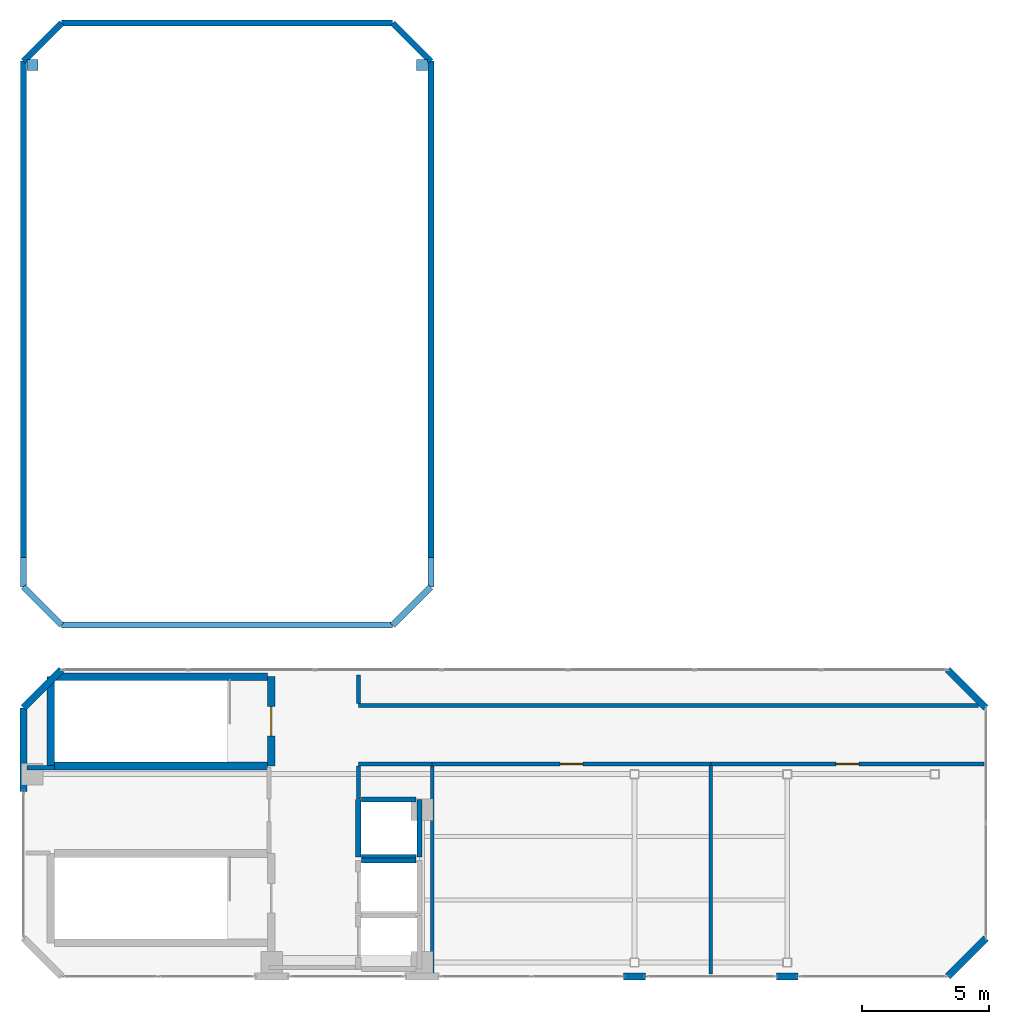
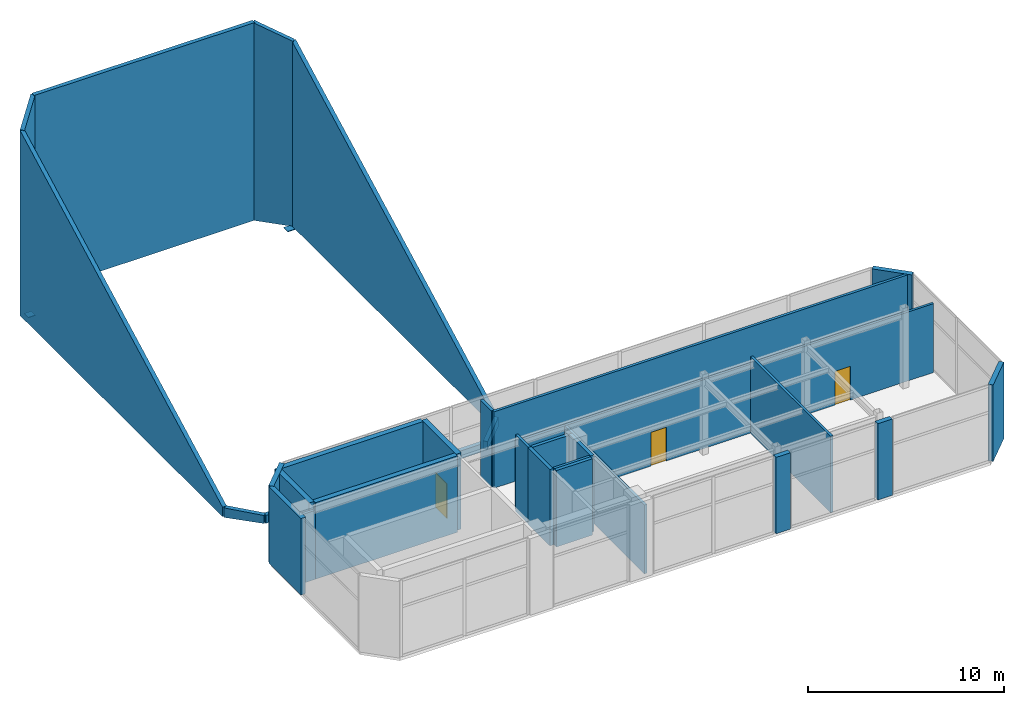
# One storey, part 11 of 12: 32 walls, 3 doors, 2 discrete accessories, 3 openings.
"""IFC4 building model written with IfcOpenShell, lengths in metres."""

from ifc_helpers import new_model, si_unit, direction, frame, frame_2d, origin, origin_2d, place, context, subcontext, project, spatial, polyline, rectangle, outline, extrude, material, layer, layer_set, type_object, element, fill, save


model = new_model("IFC4")

# Units and contexts
model_context = context("Model", 3, precision=1e-05, world=origin(), true_north=direction((0.0, 1.0)))
body_context = subcontext(model_context, "Body", "Model", "MODEL_VIEW")
ifc_project = project(units=[si_unit("LENGTHUNIT", "METRE"), si_unit("AREAUNIT", "SQUARE_METRE"), si_unit("VOLUMEUNIT", "CUBIC_METRE"), si_unit("PLANEANGLEUNIT", "RADIAN"), si_unit("MASSUNIT", "GRAM", prefix="KILO")], contexts=[model_context])

# Site, building, storey
site_placement = place(None, origin())
site = spatial("IfcSite", under=ifc_project, at=site_placement, CompositionType="ELEMENT")
building_placement = place(site_placement, origin())
building = spatial("IfcBuilding", under=site, at=building_placement, Name="Mawjaban Terraces University", CompositionType="ELEMENT")
storey_placement = place(building_placement, frame((0.0, 0.0, 321.699951171875)))
storey = spatial("IfcBuildingStorey", under=building, at=storey_placement, Name="L78", CompositionType="ELEMENT", Elevation=321.699951171875)

# Walls
ifc_material_1 = material(Name="Fire-rated gypsum board on steel stud", Category="steel")
ifc_layer_1 = layer(ifc_material_1, 0.159912109375)
ifc_layer_set_1 = layer_set([ifc_layer_1], Name="Fire-rated gypsum board on steel stud")
wall_type_1 = type_object("IfcWallType", Name="CorridorPartition_160", PredefinedType="PARTITIONING", material=ifc_layer_set_1)
wall_1_placement = place(storey_placement, frame((23.219970703125, 8.199951171875, 0.0), z_axis=(0.0, 0.0, 1.0), x_axis=(-1.0, 0.0, 0.0)))
element("IfcWall", 1, at=wall_1_placement, inside=storey, type_object=wall_type_1, Name="L78 East Peak Lift Machine Room Partition 2", PredefinedType="PARTITIONING", context=body_context, shape_type="SweptSolid", body=[
    extrude(rectangle(XDim=1.0869140625, YDim=0.159912109375, at=frame_2d((0.54345703125, 0.0))), origin(), (0.0, 0.0, 1.0), 4.291015625),
])
wall_2_placement = place(storey_placement, frame((35.14990234375, 8.35009765625, 0.0), z_axis=(0.0, 0.0, 1.0), x_axis=(1.0, 0.0, 0.0)))
element("IfcWall", 2, at=wall_2_placement, inside=storey, type_object=wall_type_1, Name="L78 Crown Plant Service Corridor Partition 4", PredefinedType="PARTITIONING", context=body_context, shape_type="SweptSolid", body=[
    extrude(rectangle(XDim=2.900146484375, YDim=0.159912109375, at=frame_2d((1.4501953125, 0.0))), origin(), (0.0, 0.0, 1.0), 4.291015625),
])
wall_3_placement = place(storey_placement, frame((59.512939453125, 10.64990234375, 0.0), z_axis=(0.0, 0.0, 1.0), x_axis=(-1.0, 0.0, 0.0)))
element("IfcWall", 3, at=wall_3_placement, inside=storey, type_object=wall_type_1, Name="L78 Crown Plant Service Corridor Partition 7", PredefinedType="PARTITIONING", context=body_context, shape_type="SweptSolid", body=[
    extrude(rectangle(XDim=24.363037109375, YDim=0.159912109375, at=frame_2d((12.181640625, 0.0))), origin(), (0.0, 0.0, 1.0), 4.760009765625),
])
wall_4_placement = place(storey_placement, frame((35.14990234375, 6.969970703125, 0.0), z_axis=(0.0, 0.0, 1.0), x_axis=(0.0, 1.0, 0.0)))
element("IfcWall", 4, at=wall_4_placement, inside=storey, type_object=wall_type_1, Name="L78 East Peak Stair and Lift Plant Lobby Partition 9", PredefinedType="PARTITIONING", context=body_context, shape_type="SweptSolid", body=[
    extrude(rectangle(XDim=1.304931640625, YDim=0.159912109375, at=frame_2d((0.65234375, 0.0))), origin(), (0.0, 0.0, 1.0), 4.760009765625),
])
wall_5_placement = place(storey_placement, frame((35.14990234375, 10.72509765625, 0.0), z_axis=(0.0, 0.0, 1.0), x_axis=(0.0, 1.0, 0.0)))
element("IfcWall", 5, at=wall_5_placement, inside=storey, type_object=wall_type_1, Name="L78 East Peak Stair and Lift Plant Lobby Partition 10", PredefinedType="PARTITIONING", context=body_context, shape_type="SweptSolid", body=[
    extrude(rectangle(XDim=1.125, YDim=0.159912109375, at=frame_2d((0.5625, 0.0))), origin(), (0.0, 0.0, 1.0), 4.760009765625),
])
ifc_material_2 = material(Name="Insulated terracotta spandrel wall", Category="masonry")
ifc_layer_2 = layer(ifc_material_2, 0.239990234375)
ifc_layer_set_2 = layer_set([ifc_layer_2], Name="Insulated terracotta spandrel wall")
wall_type_2 = type_object("IfcWallType", Name="ExtSpandrelWall_240", PredefinedType="SOLIDWALL", material=ifc_layer_set_2)
wall_6_placement = place(storey_placement, frame((23.5, 13.800048828125, 0.0), z_axis=(0.0, 0.0, 1.0), x_axis=(1.0, 0.0, 0.0)))
element("IfcWall", 6, at=wall_6_placement, inside=storey, type_object=wall_type_2, Name="North Crown Enclosed Terracotta Screen Wall 1", PredefinedType="SOLIDWALL", context=body_context, shape_type="SweptSolid", body=[
    extrude(outline(polyline([(0.0, 0.0), (13.0, 0.0), (13.0, 0.5), (0.0, 0.5), (0.0, 0.0)])), frame((0.0, 0.1201171875, 0.0), z_axis=(0.0, -1.0, 0.0), x_axis=(1.0, 0.0, 0.0)), (0.0, 0.0, 1.0), 0.239990234375),
])
wall_7_placement = place(storey_placement, frame((36.5, 13.800048828125, 0.0), z_axis=(0.0, 0.0, 1.0), x_axis=(0.707106781187, 0.707106781187, 0.0)))
element("IfcWall", 7, at=wall_7_placement, inside=storey, type_object=wall_type_2, Name="North Crown Enclosed Terracotta Screen Wall 2", PredefinedType="SOLIDWALL", context=body_context, shape_type="SweptSolid", body=[
    extrude(outline(polyline([(0.0, 0.0), (2.121337890625, 0.0), (2.12109375, 0.593994140625), (0.0, 0.5), (0.0, 0.0)])), frame((0.0, 0.1201171875, 0.0), z_axis=(0.0, -1.0, 0.0), x_axis=(1.0, 0.0, 0.0)), (0.0, 0.0, 1.0), 0.239990234375),
])
wall_8_placement = place(storey_placement, frame((38.0, 15.300048828125, 0.0), z_axis=(0.0, 0.0, 1.0), x_axis=(0.0, 1.0, 0.0)))
element("IfcWall", 8, at=wall_8_placement, inside=storey, type_object=wall_type_2, Name="North Crown Enclosed Terracotta Screen Wall 3", PredefinedType="SOLIDWALL", context=body_context, shape_type="SweptSolid", body=[
    extrude(outline(polyline([(0.0, 0.0), (20.64990234375, 0.0), (20.64990234375, 11.52099609375), (0.0, 0.593994140625), (0.0, 0.0)])), frame((0.0, 0.1201171875, 0.0), z_axis=(0.0, -1.0, 0.0), x_axis=(1.0, 0.0, 0.0)), (0.0, 0.0, 1.0), 0.239990234375),
])
wall_9_placement = place(storey_placement, frame((38.0, 35.949951171875, 0.0), z_axis=(0.0, 0.0, 1.0), x_axis=(-0.707106781187, 0.707106781187, 0.0)))
element("IfcWall", 9, at=wall_9_placement, inside=storey, type_object=wall_type_2, Name="North Crown Enclosed Terracotta Screen Wall 4", PredefinedType="SOLIDWALL", context=body_context, shape_type="SweptSolid", body=[
    extrude(outline(polyline([(0.0, 0.0), (2.121337890625, 0.0), (2.12109375, 12.31494140625), (0.0, 11.52099609375), (0.0, 0.0)])), frame((0.0, 0.1201171875, 0.0), z_axis=(0.0, -1.0, 0.0), x_axis=(1.0, 0.0, 0.0)), (0.0, 0.0, 1.0), 0.239990234375),
])
wall_10_placement = place(storey_placement, frame((36.5, 37.449951171875, 0.0), z_axis=(0.0, 0.0, 1.0), x_axis=(-1.0, 0.0, 0.0)))
element("IfcWall", 10, at=wall_10_placement, inside=storey, type_object=wall_type_2, Name="North Crown Enclosed Terracotta Screen Wall 5", PredefinedType="SOLIDWALL", context=body_context, shape_type="SweptSolid", body=[
    extrude(outline(polyline([(0.0, 0.0), (13.0, 0.0), (13.0, 12.31494140625), (0.0, 12.31494140625), (0.0, 0.0)])), frame((0.0, 0.1201171875, 0.0), z_axis=(0.0, -1.0, 0.0), x_axis=(1.0, 0.0, 0.0)), (0.0, 0.0, 1.0), 0.239990234375),
])
wall_11_placement = place(storey_placement, frame((23.5, 37.449951171875, 0.0), z_axis=(0.0, 0.0, 1.0), x_axis=(-0.707106781187, -0.707106781187, 0.0)))
element("IfcWall", 11, at=wall_11_placement, inside=storey, type_object=wall_type_2, Name="North Crown Enclosed Terracotta Screen Wall 6", PredefinedType="SOLIDWALL", context=body_context, shape_type="SweptSolid", body=[
    extrude(outline(polyline([(0.0, 0.0), (2.121337890625, 0.0), (2.12109375, 11.52099609375), (0.0, 12.31494140625), (0.0, 0.0)])), frame((0.0, 0.1201171875, 0.0), z_axis=(0.0, -1.0, 0.0), x_axis=(1.0, 0.0, 0.0)), (0.0, 0.0, 1.0), 0.239990234375),
])
wall_12_placement = place(storey_placement, frame((22.0, 35.949951171875, 0.0), z_axis=(0.0, 0.0, 1.0), x_axis=(0.0, -1.0, 0.0)))
element("IfcWall", 12, at=wall_12_placement, inside=storey, type_object=wall_type_2, Name="North Crown Enclosed Terracotta Screen Wall 7", PredefinedType="SOLIDWALL", context=body_context, shape_type="SweptSolid", body=[
    extrude(outline(polyline([(0.0, 0.0), (20.64990234375, 0.0), (20.64990234375, 0.593994140625), (0.0, 11.52099609375), (0.0, 0.0)])), frame((0.0, 0.1201171875, 0.0), z_axis=(0.0, -1.0, 0.0), x_axis=(1.0, 0.0, 0.0)), (0.0, 0.0, 1.0), 0.239990234375),
])
wall_13_placement = place(storey_placement, frame((22.0, 15.300048828125, 0.0), z_axis=(0.0, 0.0, 1.0), x_axis=(0.707106781187, -0.707106781187, 0.0)))
element("IfcWall", 13, at=wall_13_placement, inside=storey, type_object=wall_type_2, Name="North Crown Enclosed Terracotta Screen Wall 8", PredefinedType="SOLIDWALL", context=body_context, shape_type="SweptSolid", body=[
    extrude(outline(polyline([(0.0, 0.0), (2.121337890625, 0.0), (2.12109375, 0.5), (0.0, 0.593994140625), (0.0, 0.0)])), frame((0.0, 0.1201171875, 0.0), z_axis=(0.0, -1.0, 0.0), x_axis=(1.0, 0.0, 0.0)), (0.0, 0.0, 1.0), 0.239990234375),
])
ifc_material_3 = material(Name="Insulated terracotta rainscreen on concrete backup C40/50", Category="masonry")
ifc_layer_3 = layer(ifc_material_3, 0.27490234375)
ifc_layer_set_3 = layer_set([ifc_layer_3], Name="Insulated terracotta rainscreen on concrete backup C40/50")
wall_type_3 = type_object("IfcWallType", Name="ExtTerracottaWall_275", PredefinedType="SOLIDWALL", material=ifc_layer_set_3)
for number, where, z_axis, x_axis, name in (
    (14, (45.574951171875, 0.0, 0.0), (0.0, 0.0, 1.0), (1.0, 0.0, 0.0), "L78 Exterior Terracotta Pier Wall 1.3"),
    (15, (51.574951171875, 0.0, 0.0), (0.0, 0.0, 1.0), (1.0, 0.0, 0.0), "L78 Exterior Terracotta Pier Wall 1.4"),
):
    element("IfcWall", number, at=place(storey_placement, frame(where, z_axis=z_axis, x_axis=x_axis)), inside=storey, type_object=wall_type_3, Name=name, PredefinedType="SOLIDWALL", context=body_context, shape_type="SweptSolid", body=[
        extrude(rectangle(XDim=0.85009765625, YDim=0.27490234375, at=frame_2d((0.425048828125, 0.0))), origin(), (0.0, 0.0, 1.0), 4.760009765625),
    ])
for number, where, z_axis, x_axis, name in (
    (16, (58.300048828125, 0.0, 0.0), (0.0, 0.0, 1.0), (0.707106781187, 0.707106781187, 0.0), "L78 Exterior Terracotta Wall 2"),
    (17, (59.800048828125, 10.550048828125, 0.0), (0.0, 0.0, 1.0), (-0.707106781187, 0.707106781187, 0.0), "L78 Exterior Terracotta Wall 4"),
    (18, (23.5, 12.050048828125, 0.0), (0.0, 0.0, 1.0), (-0.707106781187, -0.707106781187, 0.0), "L78 Exterior Terracotta Wall 6"),
):
    element("IfcWall", number, at=place(storey_placement, frame(where, z_axis=z_axis, x_axis=x_axis)), inside=storey, type_object=wall_type_3, Name=name, PredefinedType="SOLIDWALL", context=body_context, shape_type="SweptSolid", body=[
        extrude(rectangle(XDim=2.121337890625, YDim=0.27490234375, at=frame_2d((1.060546875, 0.0))), origin(), (0.0, 0.0, 1.0), 4.760009765625),
    ])
wall_14_placement = place(storey_placement, frame((22.0, 10.550048828125, 0.0), z_axis=(0.0, 0.0, 1.0), x_axis=(0.0, -1.0, 0.0)))
element("IfcWall", 19, at=wall_14_placement, inside=storey, type_object=wall_type_3, Name="L78 Exterior Terracotta Pier Wall 7.1", PredefinedType="SOLIDWALL", context=body_context, shape_type="SweptSolid", body=[
    extrude(rectangle(XDim=3.275146484375, YDim=0.27490234375, at=frame_2d((1.6376953125, 0.0))), origin(), (0.0, 0.0, 1.0), 4.760009765625),
])
ifc_material_4 = material(Name="Concrete C40/50", Category="concrete")
ifc_layer_4 = layer(ifc_material_4, 0.199951171875)
ifc_layer_set_4 = layer_set([ifc_layer_4], Name="Concrete C40/50")
wall_type_4 = type_object("IfcWallType", Name="FireLobbyWall_200", PredefinedType="SOLIDWALL", material=ifc_layer_set_4)
wall_15_placement = place(storey_placement, frame((37.419921875, 4.550048828125, 0.0), z_axis=(0.0, 0.0, 1.0), x_axis=(-1.0, 0.0, 0.0)))
element("IfcWall", 20, at=wall_15_placement, inside=storey, type_object=wall_type_4, Name="L78 Lift FL-2 Hoistway Wall North", PredefinedType="SOLIDWALL", context=body_context, shape_type="SweptSolid", body=[
    extrude(rectangle(XDim=2.139892578125, YDim=0.199951171875, at=frame_2d((1.06982421875, 0.0))), origin(), (0.0, 0.0, 1.0), 4.760009765625),
])
for number, where, z_axis, x_axis, name in (
    (21, (35.14990234375, 6.949951171875, 0.0), (0.0, 0.0, 1.0), (0.0, -1.0, 0.0), "L78 Lift SL-1 Hoistway Wall West"),
    (22, (37.550048828125, 4.699951171875, 0.0), (0.0, 0.0, 1.0), (0.0, 1.0, 0.0), "L78 Lift SL-1 Hoistway Wall East"),
):
    element("IfcWall", number, at=place(storey_placement, frame(where, z_axis=z_axis, x_axis=x_axis)), inside=storey, type_object=wall_type_4, Name=name, PredefinedType="SOLIDWALL", context=body_context, shape_type="SweptSolid", body=[
        extrude(rectangle(XDim=2.25, YDim=0.199951171875, at=frame_2d((1.125, 0.0))), origin(), (0.0, 0.0, 1.0), 4.760009765625),
    ])
for number, where, z_axis, x_axis, name in (
    (23, (35.280029296875, 4.699951171875, 0.0), (0.0, 0.0, 1.0), (1.0, 0.0, 0.0), "L78 Lift SL-1 Hoistway Wall South"),
    (24, (37.419921875, 6.949951171875, 0.0), (0.0, 0.0, 1.0), (-1.0, 0.0, 0.0), "L78 Lift SL-1 Hoistway Wall North"),
):
    element("IfcWall", number, at=place(storey_placement, frame(where, z_axis=z_axis, x_axis=x_axis)), inside=storey, type_object=wall_type_4, Name=name, PredefinedType="SOLIDWALL", context=body_context, shape_type="SweptSolid", body=[
        extrude(rectangle(XDim=2.139892578125, YDim=0.199951171875, at=frame_2d((1.06982421875, 0.0))), origin(), (0.0, 0.0, 1.0), 4.760009765625),
    ])

# Wall, opening, door
ifc_material_5 = material(Name="Moisture-resistant gypsum board on steel stud", Category="steel")
ifc_layer_5 = layer(ifc_material_5, 0.14501953125)
ifc_layer_set_5 = layer_set([ifc_layer_5], Name="Moisture-resistant gypsum board on steel stud")
wall_type_5 = type_object("IfcWallType", Name="LabPartition_145", PredefinedType="PARTITIONING", material=ifc_layer_set_5)
wall_16_placement = place(storey_placement, frame((38.050048828125, 8.35009765625, 0.0), z_axis=(0.0, 0.0, 1.0), x_axis=(1.0, 0.0, 0.0)))
wall_16 = element("IfcWall", 25, at=wall_16_placement, inside=storey, type_object=wall_type_5, Name="L78 Crown Plant Service Corridor Partition 5", PredefinedType="PARTITIONING", context=body_context, shape_type="SweptSolid", body=[
    extrude(rectangle(XDim=10.949951171875, YDim=0.14501953125, at=frame_2d((5.47509765625, 0.0))), origin(), (0.0, 0.0, 1.0), 4.291015625),
])
opening_1_placement = place(wall_16_placement, frame((5.02490234375, 0.0, 0.0)))
opening_1 = element("IfcOpeningElement", 26, at=opening_1_placement, cuts=wall_16, Name="Opening ID-090", PredefinedType="OPENING", context=body_context, shape_type="SweptSolid", body=[
    extrude(rectangle(XDim=0.89990234375, YDim=2.10009765625, at=frame_2d((0.449951171875, 1.050048828125))), frame((0.0, 0.08251953125, 0.0), z_axis=(0.0, -1.0, 0.0), x_axis=(1.0, 0.0, 0.0)), (0.0, 0.0, 1.0), 0.1650390625),
])
ifc_material_6 = material(Name="Powder-coated steel frame and solid acoustic timber leaf", Category="steel")
door_type_1 = type_object("IfcDoorType", Name="OfficeDoor_900x2100", OperationType="NOTDEFINED", PredefinedType="DOOR", material=ifc_material_6)
door_1_placement = place(opening_1_placement, origin())
door_1 = element("IfcDoor", 27, at=door_1_placement, inside=storey, type_object=door_type_1, Name="L78 Crown Chiller and Cooling Plant Room Door", OperationType="SINGLE_SWING_RIGHT", OverallHeight=2.10009765625, OverallWidth=0.89990234375, PredefinedType="DOOR", context=body_context, shape_type="SweptSolid", body=[
    extrude(rectangle(XDim=0.89990234375, YDim=2.10009765625, at=frame_2d((0.449951171875, 1.050048828125))), frame((0.0, 0.02490234375, 0.0), z_axis=(0.0, -1.0, 0.0), x_axis=(1.0, 0.0, 0.0)), (0.0, 0.0, 1.0), 0.050048828125),
])
fill(opening_1, door_1)

wall_17_placement = place(storey_placement, frame((49.0, 8.35009765625, 0.0), z_axis=(0.0, 0.0, 1.0), x_axis=(1.0, 0.0, 0.0)))
wall_17 = element("IfcWall", 28, at=wall_17_placement, inside=storey, type_object=wall_type_5, Name="L78 Crown Plant Service Corridor Partition 6", PredefinedType="PARTITIONING", context=body_context, shape_type="SweptSolid", body=[
    extrude(rectangle(XDim=10.719970703125, YDim=0.14501953125, at=frame_2d((5.35986328125, 0.0))), origin(), (0.0, 0.0, 1.0), 4.291015625),
])
opening_2_placement = place(wall_17_placement, frame((4.909912109375, 0.0, 0.0)))
opening_2 = element("IfcOpeningElement", 29, at=opening_2_placement, cuts=wall_17, Name="Opening ID-090", PredefinedType="OPENING", context=body_context, shape_type="SweptSolid", body=[
    extrude(rectangle(XDim=0.89990234375, YDim=2.10009765625, at=frame_2d((0.449951171875, 1.050048828125))), frame((0.0, 0.08251953125, 0.0), z_axis=(0.0, -1.0, 0.0), x_axis=(1.0, 0.0, 0.0)), (0.0, 0.0, 1.0), 0.1650390625),
])
door_2_placement = place(opening_2_placement, origin())
door_2 = element("IfcDoor", 30, at=door_2_placement, inside=storey, type_object=door_type_1, Name="L78 Crown Emergency Switchgear and Fan Room Door", OperationType="SINGLE_SWING_LEFT", OverallHeight=2.10009765625, OverallWidth=0.89990234375, PredefinedType="DOOR", context=body_context, shape_type="SweptSolid", body=[
    extrude(rectangle(XDim=0.89990234375, YDim=2.10009765625, at=frame_2d((0.449951171875, 1.050048828125))), frame((0.0, 0.02490234375, 0.0), z_axis=(0.0, -1.0, 0.0), x_axis=(1.0, 0.0, 0.0)), (0.0, 0.0, 1.0), 0.050048828125),
])
fill(opening_2, door_2)

# Walls
wall_18_placement = place(storey_placement, frame((38.050048828125, 8.27490234375, 0.0), z_axis=(0.0, 0.0, 1.0), x_axis=(0.0, -1.0, 0.0)))
element("IfcWall", 31, at=wall_18_placement, inside=storey, type_object=wall_type_5, Name="L78 Crown Chiller and Cooling Plant Room Partition 11", PredefinedType="PARTITIONING", context=body_context, shape_type="SweptSolid", body=[
    extrude(rectangle(XDim=8.141845703125, YDim=0.14501953125, at=frame_2d((4.07080078125, 0.0))), origin(), (0.0, 0.0, 1.0), 4.291015625),
])
wall_19_placement = place(storey_placement, frame((49.0, 0.090087890625, 0.0), z_axis=(0.0, 0.0, 1.0), x_axis=(0.0, 1.0, 0.0)))
element("IfcWall", 32, at=wall_19_placement, inside=storey, type_object=wall_type_5, Name="L78 Crown Chiller and Cooling Plant Room Partition 12", PredefinedType="PARTITIONING", context=body_context, shape_type="SweptSolid", body=[
    extrude(rectangle(XDim=8.19189453125, YDim=0.14501953125, at=frame_2d((4.095947265625, 0.0))), origin(), (0.0, 0.0, 1.0), 4.760009765625),
])
ifc_material_7 = material(Name="Concrete C60/75", Category="concrete")
ifc_layer_6 = layer(ifc_material_7, 0.300048828125)
ifc_layer_set_6 = layer_set([ifc_layer_6], Name="Concrete C60/75")
wall_type_6 = type_object("IfcWallType", Name="StairShaftWall_300", PredefinedType="SHEAR", material=ifc_layer_set_6)
wall_20_placement = place(storey_placement, frame((31.580078125, 11.780029296875, 0.0), z_axis=(0.0, 0.0, 1.0), x_axis=(-1.0, 0.0, 0.0)))
element("IfcWall", 33, at=wall_20_placement, inside=storey, type_object=wall_type_6, Name="L78 ST-3 Stair Shaft Wall 1", PredefinedType="SHEAR", context=body_context, shape_type="SweptSolid", body=[
    extrude(rectangle(XDim=8.360107421875, YDim=0.300048828125, at=frame_2d((4.18017578125, 0.0))), origin(), (0.0, 0.0, 1.0), 4.760009765625),
])
wall_21_placement = place(storey_placement, frame((23.070068359375, 11.780029296875, 0.0), z_axis=(0.0, 0.0, 1.0), x_axis=(0.0, -1.0, 0.0)))
element("IfcWall", 34, at=wall_21_placement, inside=storey, type_object=wall_type_6, Name="L78 ST-3 Stair Shaft Wall 2", PredefinedType="SHEAR", context=body_context, shape_type="SweptSolid", body=[
    extrude(rectangle(XDim=3.510009765625, YDim=0.300048828125, at=frame_2d((1.7548828125, 0.0))), origin(), (0.0, 0.0, 1.0), 4.760009765625),
])
wall_22_placement = place(storey_placement, frame((23.219970703125, 8.27001953125, 0.0), z_axis=(0.0, 0.0, 1.0), x_axis=(1.0, 0.0, 0.0)))
element("IfcWall", 35, at=wall_22_placement, inside=storey, type_object=wall_type_6, Name="L78 ST-3 Stair Shaft Wall 3", PredefinedType="SHEAR", context=body_context, shape_type="SweptSolid", body=[
    extrude(rectangle(XDim=8.360107421875, YDim=0.300048828125, at=frame_2d((4.18017578125, 0.0))), origin(), (0.0, 0.0, 1.0), 4.760009765625),
])

# Wall, opening, door
wall_23_placement = place(storey_placement, frame((31.72998046875, 8.27001953125, 0.0), z_axis=(0.0, 0.0, 1.0), x_axis=(0.0, 1.0, 0.0)))
wall_23 = element("IfcWall", 36, at=wall_23_placement, inside=storey, type_object=wall_type_6, Name="L78 ST-3 Stair Shaft Wall 4", PredefinedType="SHEAR", context=body_context, shape_type="SweptSolid", body=[
    extrude(rectangle(XDim=3.510009765625, YDim=0.300048828125, at=frame_2d((1.7548828125, 0.0))), origin(), (0.0, 0.0, 1.0), 4.760009765625),
])
opening_3_placement = place(wall_23_placement, frame((1.179931640625, 0.0, 0.0)))
opening_3 = element("IfcOpeningElement", 37, at=opening_3_placement, cuts=wall_23, Name="Opening FD-115", PredefinedType="OPENING", context=body_context, shape_type="SweptSolid", body=[
    extrude(rectangle(XDim=1.14990234375, YDim=2.14990234375, at=frame_2d((0.574951171875, 1.074951171875))), frame((0.0, 0.159912109375, 0.0), z_axis=(0.0, -1.0, 0.0), x_axis=(1.0, 0.0, 0.0)), (0.0, 0.0, 1.0), 0.320068359375),
])
ifc_material_8 = material(Name="Powder-coated steel frame and fire-rated steel-faced leaf", Category="steel")
door_type_2 = type_object("IfcDoorType", Name="FireStairDoor_1150x2150", OperationType="NOTDEFINED", PredefinedType="DOOR", material=ifc_material_8)
door_3_placement = place(opening_3_placement, origin())
door_3 = element("IfcDoor", 38, at=door_3_placement, inside=storey, type_object=door_type_2, Name="L78 ST-3 Pressurised Stair Fire Door", OperationType="SINGLE_SWING_RIGHT", OverallHeight=2.14990234375, OverallWidth=1.14990234375, PredefinedType="DOOR", context=body_context, shape_type="SweptSolid", body=[
    extrude(rectangle(XDim=1.14990234375, YDim=2.14990234375, at=frame_2d((0.574951171875, 1.074951171875))), frame((0.0, 0.02490234375, 0.0), z_axis=(0.0, -1.0, 0.0), x_axis=(1.0, 0.0, 0.0)), (0.0, 0.0, 1.0), 0.050048828125),
])
fill(opening_3, door_3)

# Discrete accessories
ifc_material_9 = material(Name="Steel ASTM A572 Grade 50", Category="steel")
ifc_layer_7 = layer(ifc_material_9, 0.0400390625)
ifc_layer_set_7 = layer_set([ifc_layer_7], Name="Steel ASTM A572 Grade 50")
discrete_accessory_type = type_object("IfcDiscreteAccessoryType", Name="HollowSectionEndCap_40", PredefinedType="BRACKET", material=ifc_layer_set_7)
for number, where, z_axis, x_axis, name in (
    (39, (22.35009765625, 35.800048828125, -0.02001953125), (0.0, 0.0, 1.0), (1.0, 0.0, 0.0), "L78 Hollow Section End Cap Plate CAP-L78-NP-224"),
    (40, (37.64990234375, 35.800048828125, -0.02001953125), (0.0, 0.0, 1.0), (1.0, 0.0, 0.0), "L78 Hollow Section End Cap Plate CAP-L78-NP-376"),
):
    element("IfcDiscreteAccessory", number, at=place(storey_placement, frame(where, z_axis=z_axis, x_axis=x_axis)), inside=storey, type_object=discrete_accessory_type, Name=name, PredefinedType="BRACKET", context=body_context, shape_type="SweptSolid", body=[
        extrude(rectangle(XDim=0.419921875, YDim=0.419921875, at=origin_2d()), origin(), (0.0, 0.0, 1.0), 0.0400390625),
    ])

save(model, "model.ifc")
